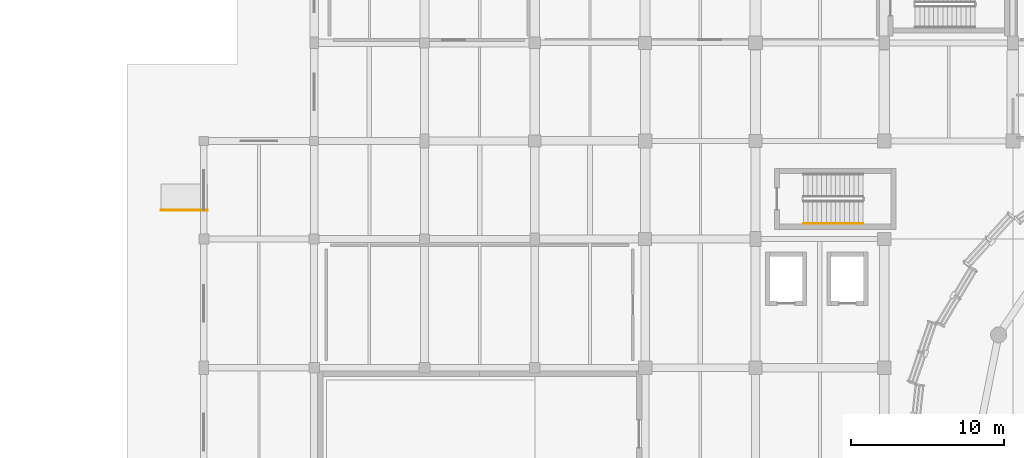
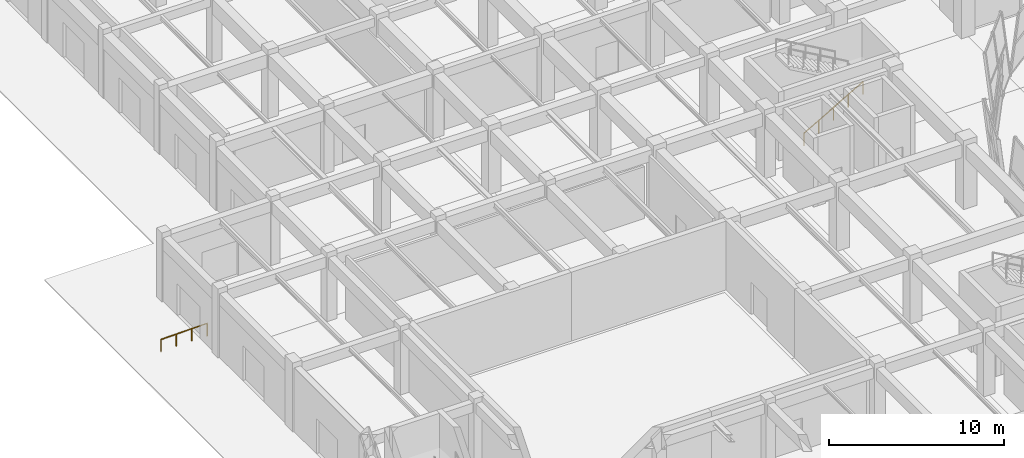
# One storey, part 65 of 72: 2 railings.
"""IFC4 building model written with IfcOpenShell, lengths in metres."""

from ifc_helpers import new_model, si_unit, direction, frame, origin, origin_2d, place, context, subcontext, project, spatial, circle, extrude, material, type_object, element, save


model = new_model("IFC4")

# Units and contexts
model_context = context("Model", 3, precision=1e-05, world=origin(), true_north=direction((0.0, 1.0)))
body_context = subcontext(model_context, "Body", "Model", "MODEL_VIEW")
ifc_project = project(units=[si_unit("LENGTHUNIT", "METRE"), si_unit("AREAUNIT", "SQUARE_METRE"), si_unit("VOLUMEUNIT", "CUBIC_METRE"), si_unit("PLANEANGLEUNIT", "RADIAN"), si_unit("MASSUNIT", "GRAM", prefix="KILO")], contexts=[model_context])

# Site, building, storey
site_placement = place(None, origin())
site = spatial("IfcSite", under=ifc_project, at=site_placement, CompositionType="ELEMENT")
building_placement = place(site_placement, origin())
building = spatial("IfcBuilding", under=site, at=building_placement, Name="Korsvaeld Concert Hall", CompositionType="ELEMENT")
storey_placement = place(building_placement, origin())
storey = spatial("IfcBuildingStorey", under=building, at=storey_placement, Name="L00", CompositionType="ELEMENT", Elevation=0.0)

# Railings
ifc_material_1 = material(Name="Anodised architectural bronze handrail")
railing_type_1 = type_object("IfcRailingType", Name="RL-RAMP-HAND-90", PredefinedType="HANDRAIL", material=ifc_material_1)
railing_1_placement = place(storey_placement, frame((11.60009765625, 78.679931640625, -0.06005859375)))
element("IfcRailing", 1, at=railing_1_placement, inside=storey, type_object=railing_type_1, Name="Accessible ramp handrail RMP-W1", PredefinedType="HANDRAIL", context=body_context, shape_type="SweptSolid", body=[
    extrude(circle(Radius=0.02392578125, at=origin_2d()), frame((0.0, 0.0, 0.8759765625), z_axis=(0.999806157065, 0.0, 0.019688785994), x_axis=(0.0, 1.0, 0.0)), (0.0, 0.0, 1.0), 3.05029296875),
    extrude(circle(Radius=0.02099609375, at=origin_2d()), origin(), (0.0, 0.0, 1.0), 0.851806640625),
    extrude(circle(Radius=0.02099609375, at=origin_2d()), frame((1.0166015625, 0.0, 0.02001953125)), (0.0, 0.0, 1.0), 0.851806640625),
    extrude(circle(Radius=0.02099609375, at=origin_2d()), frame((2.033203125, 0.0, 0.0400390625)), (0.0, 0.0, 1.0), 0.851806640625),
    extrude(circle(Radius=0.02099609375, at=origin_2d()), frame((3.0498046875, 0.0, 0.06005859375)), (0.0, 0.0, 1.0), 0.851806640625),
])
ifc_material_2 = material(Name="European oak and bronze stair handrail")
railing_type_2 = type_object("IfcRailingType", Name="RL-STAIR-HAND-90", PredefinedType="HANDRAIL", material=ifc_material_2)
railing_2_placement = place(storey_placement, frame((53.52001953125, 77.820068359375, 0.17138671875)))
element("IfcRailing", 2, at=railing_2_placement, inside=storey, type_object=railing_type_2, Name="L00 ST-K1 stair handrail 1", PredefinedType="HANDRAIL", context=body_context, shape_type="SweptSolid", body=[
    extrude(circle(Radius=0.02392578125, at=origin_2d()), frame((0.0, 0.0, 0.8759765625), z_axis=(0.868243142124, 0.0, 0.496138938357), x_axis=(0.0, 1.0, 0.0)), (0.0, 0.0, 1.0), 4.49169921875),
    extrude(circle(Radius=0.02099609375, at=origin_2d()), origin(), (0.0, 0.0, 1.0), 0.851806640625),
    extrude(circle(Radius=0.02099609375, at=origin_2d()), frame((0.97509765625, 0.0, 0.55712890625)), (0.0, 0.0, 1.0), 0.851806640625),
    extrude(circle(Radius=0.02099609375, at=origin_2d()), frame((1.949951171875, 0.0, 1.1142578125)), (0.0, 0.0, 1.0), 0.851806640625),
    extrude(circle(Radius=0.02099609375, at=origin_2d()), frame((2.9248046875, 0.0, 1.67138671875)), (0.0, 0.0, 1.0), 0.851806640625),
    extrude(circle(Radius=0.02099609375, at=origin_2d()), frame((3.89990234375, 0.0, 2.228515625)), (0.0, 0.0, 1.0), 0.851806640625),
])

save(model, "model.ifc")
